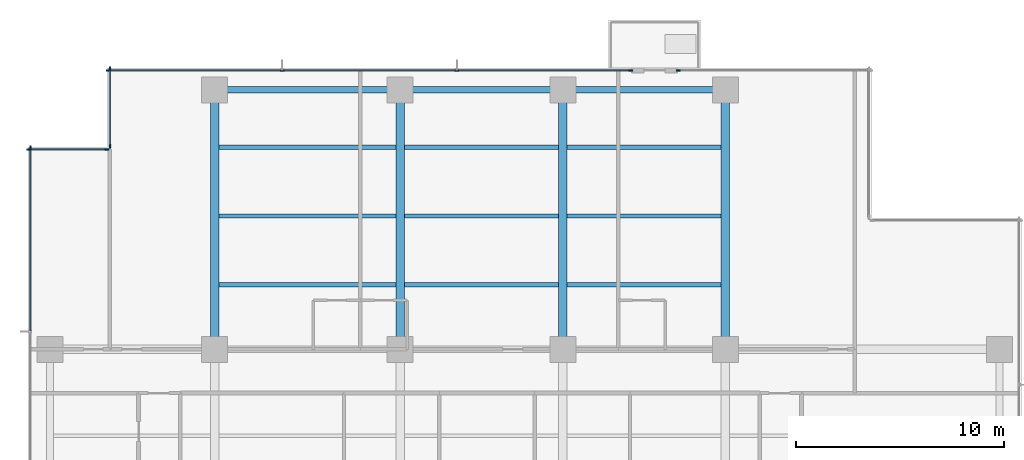
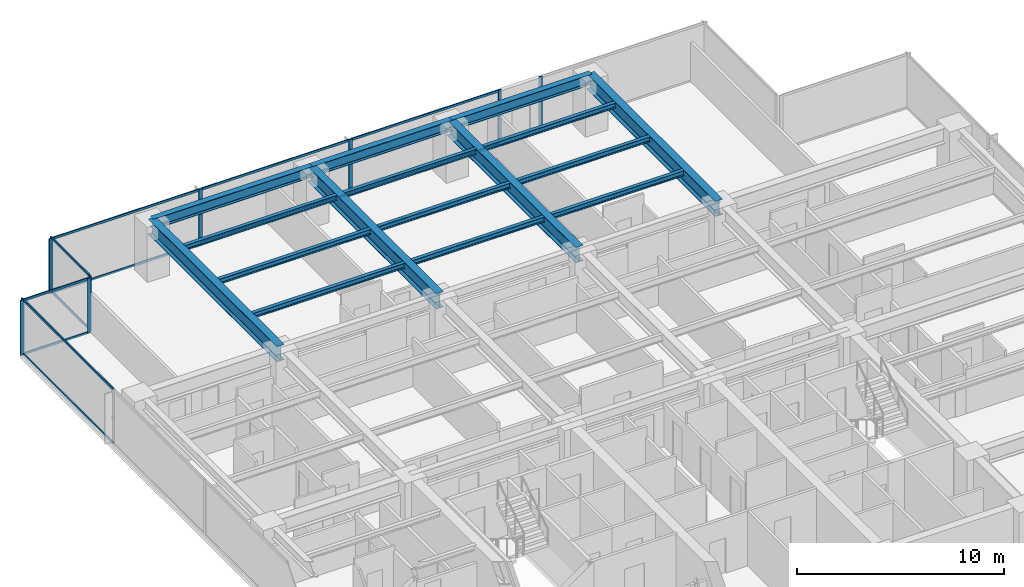
# One storey, part 5 of 17: 22 members, 16 beams, 5 elements without a shape of their own.
"""IFC4 building model written with IfcOpenShell, lengths in metres."""

import ifcopenshell
import ifcopenshell.guid

model = None  # the IFC model being written
_history = None  # IfcOwnerHistory: only IFC2X3 demands one
_inside = {}  # id of a spatial element -> (the spatial element, [elements in it])
_under = {}  # id of a project, library or spatial element -> (it, [spatial elements below it])
_declared = {}  # id of a project -> (the project, [libraries it declares])
_typed = {}  # id of a type object -> (the type object, [elements of that type])
_made_of = {}  # id of a material, layer set ... -> (it, [elements and type objects made of it])


def new_model(schema):
    """Start an empty IFC model of exactly this schema.

    Asked for "IFC4X3", IfcOpenShell would pick the latest addendum, in which some entities
    have other attributes; the version numbers below select the first issue.
    IFC2X3 requires an IfcOwnerHistory on every rooted entity: one is made here for all.
    """
    global model, _history
    if schema == "IFC4X3":
        model = ifcopenshell.file(schema_version=(4, 3, 0, 0))
    else:
        model = ifcopenshell.file(schema=schema)
    _inside.clear()
    _under.clear()
    _declared.clear()
    _typed.clear()
    _made_of.clear()
    _history = None
    if model.schema == "IFC2X3":
        org = make("IfcOrganization", Name="unknown")
        user = make(
            "IfcPersonAndOrganization",
            ThePerson=make("IfcPerson", FamilyName="unknown"),
            TheOrganization=org,
        )
        app = make(
            "IfcApplication",
            ApplicationDeveloper=org,
            Version="unknown",
            ApplicationFullName="unknown",
            ApplicationIdentifier="unknown",
        )
        _history = make(
            "IfcOwnerHistory",
            OwningUser=user,
            OwningApplication=app,
            ChangeAction="ADDED",
            CreationDate=0,
        )
    return model


def make(cls, **values):
    """One entity of the class cls with the attributes given. An attribute that is None is left unset."""
    return model.create_entity(
        cls, **{name: value for name, value in values.items() if value is not None}
    )


def rooted(cls, **values):
    """An entity with a GlobalId (a new one), such as an element, a storey or a relation."""
    return make(cls, GlobalId=ifcopenshell.guid.new(), OwnerHistory=_history, **values)


def si_unit(unit_type, name, prefix=None):
    """IfcSIUnit, for example si_unit("LENGTHUNIT", "METRE", prefix="MILLI")."""
    return make("IfcSIUnit", UnitType=unit_type, Prefix=prefix, Name=name)


def assignment(units):
    """IfcUnitAssignment: the units of a project."""
    return None if units is None else make("IfcUnitAssignment", Units=units)


def point(xyz):
    """IfcCartesianPoint."""
    return None if xyz is None else make("IfcCartesianPoint", Coordinates=xyz)


def direction(xyz):
    """IfcDirection."""
    return None if xyz is None else make("IfcDirection", DirectionRatios=xyz)


def frame(location, z_axis=None, x_axis=None):
    """IfcAxis2Placement3D, a coordinate frame: its origin and axes. An axis left out is left unset."""
    return make(
        "IfcAxis2Placement3D",
        Location=point(location),
        Axis=direction(z_axis),
        RefDirection=direction(x_axis),
    )


def frame_2d(location, x_axis=None):
    """IfcAxis2Placement2D, a coordinate frame in the plane: its origin and x axis."""
    return make(
        "IfcAxis2Placement2D", Location=point(location), RefDirection=direction(x_axis)
    )


def origin():
    """The frame at (0, 0, 0) with its axes left unset."""
    return frame((0.0, 0.0, 0.0))


def origin_2d():
    """The frame at (0, 0) in the plane with its x axis left unset."""
    return frame_2d((0.0, 0.0))


def place(relative_to, where):
    """IfcLocalPlacement: puts the frame where relative to a parent placement (None: the world)."""
    return make(
        "IfcLocalPlacement", PlacementRelTo=relative_to, RelativePlacement=where
    )


def context(
    kind, dimensions, precision=None, world=None, true_north=None, identifier=None
):
    """IfcGeometricRepresentationContext, for example the 3D "Model" context."""
    return make(
        "IfcGeometricRepresentationContext",
        ContextIdentifier=identifier,
        ContextType=kind,
        CoordinateSpaceDimension=dimensions,
        Precision=precision,
        WorldCoordinateSystem=world,
        TrueNorth=true_north,
    )


def subcontext(parent, identifier, kind, view, scale=None):
    """IfcGeometricRepresentationSubContext, for example "Body" below "Model"."""
    return make(
        "IfcGeometricRepresentationSubContext",
        ContextIdentifier=identifier,
        ContextType=kind,
        ParentContext=parent,
        TargetScale=scale,
        TargetView=view,
    )


def project(units=None, contexts=None):
    """IfcProject with its units and contexts."""
    return rooted(
        "IfcProject",
        Name="project",
        RepresentationContexts=contexts,
        UnitsInContext=assignment(units),
    )


def spatial(cls, under=None, at=None, **own):
    """A site, building, storey or space (cls), placed at a placement, below another one or the project."""
    s = rooted(cls, ObjectPlacement=at, **own)
    if under is not None:
        _under.setdefault(under.id(), (under, []))[1].append(s)
    return s


def profile(cls, at=None, kind="AREA", **sizes):
    """A parametric profile (cls). Its sizes go by their IFC names, for example OverallWidth=200.0."""
    return make(cls, ProfileType=kind, Position=at, **sizes)


def rectangle(**sizes):
    """IfcRectangleProfileDef."""
    return profile("IfcRectangleProfileDef", **sizes)


def i_section(**sizes):
    """IfcIShapeProfileDef."""
    return profile("IfcIShapeProfileDef", **sizes)


def extrude(swept, where, along, depth):
    """IfcExtrudedAreaSolid: the profile swept, set in the frame where, extruded along a direction by depth."""
    return make(
        "IfcExtrudedAreaSolid",
        SweptArea=swept,
        Position=where,
        ExtrudedDirection=direction(along),
        Depth=depth,
    )


def shape(context_of_items, identifier, shape_type, items):
    """IfcShapeRepresentation: the items that make up one representation, for example the "Body"."""
    return make(
        "IfcShapeRepresentation",
        ContextOfItems=context_of_items,
        RepresentationIdentifier=identifier,
        RepresentationType=shape_type,
        Items=items,
    )


def material(Name=None, Category=None):
    """IfcMaterial."""
    return make("IfcMaterial", Name=Name, Category=Category)


def layer(
    of_material, thickness, ventilated=None, Name=None, Category=None, Priority=None
):
    """IfcMaterialLayer: one layer of a wall or slab, of a material (None: an air gap)."""
    return make(
        "IfcMaterialLayer",
        Material=of_material,
        LayerThickness=thickness,
        IsVentilated=ventilated,
        Name=Name,
        Category=Category,
        Priority=Priority,
    )


def layer_set(layers, Name=None):
    """IfcMaterialLayerSet."""
    return make("IfcMaterialLayerSet", MaterialLayers=layers, LayerSetName=Name)


def material_profile(
    of_material, cross_section, Name=None, Category=None, Priority=None
):
    """IfcMaterialProfile: a cross section and its material."""
    return make(
        "IfcMaterialProfile",
        Name=Name,
        Material=of_material,
        Profile=cross_section,
        Priority=Priority,
        Category=Category,
    )


def profile_set(profiles, Name=None, composite=None):
    """IfcMaterialProfileSet."""
    return make(
        "IfcMaterialProfileSet",
        Name=Name,
        MaterialProfiles=profiles,
        CompositeProfile=composite,
    )


def made_of(thing, what):
    """Note that an element or type object is made of a material, layer set ...; save() writes the relation."""
    if what is not None:
        _made_of.setdefault(what.id(), (what, []))[1].append(thing)
    return thing


def type_object(cls, material=None, **own):
    """A type object (cls), such as IfcWallType, which elements share."""
    return made_of(rooted(cls, **own), material)


def element(
    cls,
    number,
    at=None,
    inside=None,
    cuts=None,
    type_object=None,
    material=None,
    context=None,
    identifier="Body",
    shape_type=None,
    held_by="IfcProductDefinitionShape",
    body=None,
    shapes=None,
    **own,
):
    """One element of the class cls, such as IfcWall. Its Tag is "e" and its number.

    at: its placement. inside: the storey or other place that contains it. cuts: it is an
    opening in that element (IfcRelVoidsElement). A single representation is given by context,
    identifier, shape_type and body (its items); several are given by shapes. held_by: the class
    of the entity that holds the representations. save() writes the other relations.
    """
    e = rooted(cls, Tag="e%d" % number, ObjectPlacement=at, **own)
    if body is not None:
        shapes = [shape(context, identifier, shape_type, body)]
    if shapes is not None:
        e.Representation = make(held_by, Representations=shapes)
    if inside is not None:
        _inside.setdefault(inside.id(), (inside, []))[1].append(e)
    if cuts is not None:
        rooted(
            "IfcRelVoidsElement", RelatingBuildingElement=cuts, RelatedOpeningElement=e
        )
    if type_object is not None:
        _typed.setdefault(type_object.id(), (type_object, []))[1].append(e)
    return made_of(e, material)


def aggregate(whole, parts):
    """IfcRelAggregates: a whole, such as a stair, and the parts it consists of."""
    return rooted("IfcRelAggregates", RelatingObject=whole, RelatedObjects=parts)


def save(model, path):
    """Write the relations noted so far, then the file.

    IfcRelAggregates (storeys below a building ...), IfcRelContainedInSpatialStructure (elements
    in a storey), IfcRelDefinesByType, IfcRelAssociatesMaterial and IfcRelDeclares: one each for
    every whole, place, type object, material and project.
    """
    for whole, parts in _under.values():
        aggregate(whole, parts)
    for where, things in _inside.values():
        rooted(
            "IfcRelContainedInSpatialStructure",
            RelatedElements=things,
            RelatingStructure=where,
        )
    for kind, things in _typed.values():
        rooted("IfcRelDefinesByType", RelatedObjects=things, RelatingType=kind)
    for what, things in _made_of.values():
        rooted("IfcRelAssociatesMaterial", RelatedObjects=things, RelatingMaterial=what)
    for by, libraries in _declared.values():
        rooted("IfcRelDeclares", RelatingContext=by, RelatedDefinitions=libraries)
    model.write(path)


model = new_model("IFC4")

# Units and contexts
model_context = context("Model", 3, precision=1e-05, world=origin(), true_north=direction((0.0, 1.0)))
body_context = subcontext(model_context, "Body", "Model", "MODEL_VIEW")
ifc_project = project(units=[si_unit("LENGTHUNIT", "METRE"), si_unit("AREAUNIT", "SQUARE_METRE"), si_unit("VOLUMEUNIT", "CUBIC_METRE"), si_unit("PLANEANGLEUNIT", "RADIAN"), si_unit("MASSUNIT", "GRAM", prefix="KILO")], contexts=[model_context])

# Site, building, storey
site_placement = place(None, origin())
site = spatial("IfcSite", under=ifc_project, at=site_placement, CompositionType="ELEMENT")
building_placement = place(site_placement, origin())
building = spatial("IfcBuilding", under=site, at=building_placement, Name="Qalmaran Belvedere Hotel", CompositionType="ELEMENT")
storey_placement = place(building_placement, frame((0.0, 0.0, 112.699951171875)))
storey = spatial("IfcBuildingStorey", under=building, at=storey_placement, Name="L28", CompositionType="ELEMENT", Elevation=112.699951171875)

# Beams
ifc_material_1 = material(Name="Steel S355JR", Category="steel")
ifc_material_profile_1 = material_profile(ifc_material_1, i_section(OverallWidth=0.202880859375, OverallDepth=0.302978515625, WebThickness=0.007568359375, FlangeThickness=0.01318359375, FilletRadius=0.012939453125, at=origin_2d()), Name="W310X60")
ifc_profile_set_1 = profile_set([ifc_material_profile_1], Name="Steel S355JR")
beam_type_1 = type_object("IfcBeamType", Name="BM-JST-W310X60", PredefinedType="JOIST", material=ifc_profile_set_1)
beam_1_placement = place(storey_placement, frame((20.507080078125, 36.10009765625, 3.088623046875), z_axis=(1.0, 0.0, 0.0), x_axis=(0.0, 1.0, 0.0)))
element("IfcBeam", 1, at=beam_1_placement, inside=storey, type_object=beam_type_1, Name="L28 North Floor Joist 042", PredefinedType="JOIST", context=body_context, shape_type="SweptSolid", body=[
    extrude(i_section(OverallWidth=0.202880859375, OverallDepth=0.302978515625, WebThickness=0.007568359375, FlangeThickness=0.01318359375, FilletRadius=0.012939453125, at=origin_2d()), origin(), (0.0, 0.0, 1.0), 8.48583984375),
])
for number, where, z_axis, x_axis, name in (
    (2, (29.406982421875, 36.10009765625, 3.088623046875), (1.0, 0.0, 0.0), (0.0, 1.0, 0.0), "L28 North Floor Joist 043"),
    (3, (37.20703125, 36.10009765625, 3.088623046875), (1.0, 0.0, 0.0), (0.0, 1.0, 0.0), "L28 North Floor Joist 044"),
):
    element("IfcBeam", number, at=place(storey_placement, frame(where, z_axis=z_axis, x_axis=x_axis)), inside=storey, type_object=beam_type_1, Name=name, PredefinedType="JOIST", context=body_context, shape_type="SweptSolid", body=[
        extrude(i_section(OverallWidth=0.202880859375, OverallDepth=0.302978515625, WebThickness=0.007568359375, FlangeThickness=0.01318359375, FilletRadius=0.012939453125, at=origin_2d()), origin(), (0.0, 0.0, 1.0), 7.385986328125),
    ])
beam_2_placement = place(storey_placement, frame((20.507080078125, 39.39990234375, 3.088623046875), z_axis=(1.0, 0.0, 0.0), x_axis=(0.0, 1.0, 0.0)))
element("IfcBeam", 4, at=beam_2_placement, inside=storey, type_object=beam_type_1, Name="L28 North Floor Joist 045", PredefinedType="JOIST", context=body_context, shape_type="SweptSolid", body=[
    extrude(i_section(OverallWidth=0.202880859375, OverallDepth=0.302978515625, WebThickness=0.007568359375, FlangeThickness=0.01318359375, FilletRadius=0.012939453125, at=origin_2d()), origin(), (0.0, 0.0, 1.0), 8.48583984375),
])
for number, where, z_axis, x_axis, name in (
    (5, (29.406982421875, 39.39990234375, 3.088623046875), (1.0, 0.0, 0.0), (0.0, 1.0, 0.0), "L28 North Floor Joist 046"),
    (6, (37.20703125, 39.39990234375, 3.088623046875), (1.0, 0.0, 0.0), (0.0, 1.0, 0.0), "L28 North Floor Joist 047"),
):
    element("IfcBeam", number, at=place(storey_placement, frame(where, z_axis=z_axis, x_axis=x_axis)), inside=storey, type_object=beam_type_1, Name=name, PredefinedType="JOIST", context=body_context, shape_type="SweptSolid", body=[
        extrude(i_section(OverallWidth=0.202880859375, OverallDepth=0.302978515625, WebThickness=0.007568359375, FlangeThickness=0.01318359375, FilletRadius=0.012939453125, at=origin_2d()), origin(), (0.0, 0.0, 1.0), 7.385986328125),
    ])
beam_3_placement = place(storey_placement, frame((20.507080078125, 42.699951171875, 3.088623046875), z_axis=(1.0, 0.0, 0.0), x_axis=(0.0, 1.0, 0.0)))
element("IfcBeam", 7, at=beam_3_placement, inside=storey, type_object=beam_type_1, Name="L28 North Floor Joist 048", PredefinedType="JOIST", context=body_context, shape_type="SweptSolid", body=[
    extrude(i_section(OverallWidth=0.202880859375, OverallDepth=0.302978515625, WebThickness=0.007568359375, FlangeThickness=0.01318359375, FilletRadius=0.012939453125, at=origin_2d()), origin(), (0.0, 0.0, 1.0), 8.48583984375),
])
for number, where, z_axis, x_axis, name in (
    (8, (29.406982421875, 42.699951171875, 3.088623046875), (1.0, 0.0, 0.0), (0.0, 1.0, 0.0), "L28 North Floor Joist 049"),
    (9, (37.20703125, 42.699951171875, 3.088623046875), (1.0, 0.0, 0.0), (0.0, 1.0, 0.0), "L28 North Floor Joist 050"),
):
    element("IfcBeam", number, at=place(storey_placement, frame(where, z_axis=z_axis, x_axis=x_axis)), inside=storey, type_object=beam_type_1, Name=name, PredefinedType="JOIST", context=body_context, shape_type="SweptSolid", body=[
        extrude(i_section(OverallWidth=0.202880859375, OverallDepth=0.302978515625, WebThickness=0.007568359375, FlangeThickness=0.01318359375, FilletRadius=0.012939453125, at=origin_2d()), origin(), (0.0, 0.0, 1.0), 7.385986328125),
    ])
ifc_material_profile_2 = material_profile(ifc_material_1, i_section(OverallWidth=0.41796875, OverallDepth=0.912109375, WebThickness=0.019287109375, FlangeThickness=0.031982421875, FilletRadius=0.02392578125, at=origin_2d()), Name="W920X342")
ifc_profile_set_2 = profile_set([ifc_material_profile_2], Name="Steel S355JR")
beam_type_2 = type_object("IfcBeamType", Name="BM-PG2-W920X342", PredefinedType="USERDEFINED", material=ifc_profile_set_2)
for number, where, z_axis, x_axis, name in (
    (10, (20.300048828125, 33.0, 2.783935546875), (0.0, 1.0, 0.0), (-1.0, 0.0, 0.0), "L28 North Bay Girder 15"),
    (11, (29.199951171875, 33.0, 2.783935546875), (0.0, 1.0, 0.0), (-1.0, 0.0, 0.0), "L28 North Bay Girder 17"),
    (12, (37.0, 33.0, 2.783935546875), (0.0, 1.0, 0.0), (-1.0, 0.0, 0.0), "L28 North Bay Girder 19"),
    (13, (44.800048828125, 33.0, 2.783935546875), (0.0, 1.0, 0.0), (-1.0, 0.0, 0.0), "L28 North Bay Girder 21"),
):
    element("IfcBeam", number, at=place(storey_placement, frame(where, z_axis=z_axis, x_axis=x_axis)), inside=storey, type_object=beam_type_2, Name=name, ObjectType="GIRDER", PredefinedType="USERDEFINED", context=body_context, shape_type="SweptSolid", body=[
        extrude(i_section(OverallWidth=0.41796875, OverallDepth=0.912109375, WebThickness=0.019287109375, FlangeThickness=0.031982421875, FilletRadius=0.02392578125, at=origin_2d()), origin(), (0.0, 0.0, 1.0), 12.449951171875),
    ])
ifc_material_profile_3 = material_profile(ifc_material_1, i_section(OverallWidth=0.326904296875, OverallDepth=0.6220703125, WebThickness=0.015380859375, FlangeThickness=0.0244140625, FilletRadius=0.02001953125, at=origin_2d()), Name="W610X195")
ifc_profile_set_3 = profile_set([ifc_material_profile_3], Name="Steel S355JR")
beam_type_3 = type_object("IfcBeamType", Name="BM-SP1-W610X195", PredefinedType="SPANDREL", material=ifc_profile_set_3)
beam_4_placement = place(storey_placement, frame((20.300048828125, 45.449951171875, 2.928955078125), z_axis=(1.0, 0.0, 0.0), x_axis=(0.0, 1.0, 0.0)))
element("IfcBeam", 14, at=beam_4_placement, inside=storey, type_object=beam_type_3, Name="L28 Perimeter Spandrel 05", PredefinedType="SPANDREL", context=body_context, shape_type="SweptSolid", body=[
    extrude(i_section(OverallWidth=0.326904296875, OverallDepth=0.6220703125, WebThickness=0.015380859375, FlangeThickness=0.0244140625, FilletRadius=0.02001953125, at=origin_2d()), origin(), (0.0, 0.0, 1.0), 8.89990234375),
])
for number, where, z_axis, x_axis, name in (
    (15, (29.199951171875, 45.449951171875, 2.928955078125), (1.0, 0.0, 0.0), (0.0, 1.0, 0.0), "L28 Perimeter Spandrel 06"),
    (16, (37.0, 45.449951171875, 2.928955078125), (1.0, 0.0, 0.0), (0.0, 1.0, 0.0), "L28 Perimeter Spandrel 07"),
):
    element("IfcBeam", number, at=place(storey_placement, frame(where, z_axis=z_axis, x_axis=x_axis)), inside=storey, type_object=beam_type_3, Name=name, PredefinedType="SPANDREL", context=body_context, shape_type="SweptSolid", body=[
        extrude(i_section(OverallWidth=0.326904296875, OverallDepth=0.6220703125, WebThickness=0.015380859375, FlangeThickness=0.0244140625, FilletRadius=0.02001953125, at=origin_2d()), origin(), (0.0, 0.0, 1.0), 7.800048828125),
    ])

# Curtain wall, members
ifc_material_2 = material(Name="Anodised Bronze Aluminium", Category="aluminium")
ifc_layer = layer(ifc_material_2, 0.199951171875, Name="Anodised Bronze Aluminium")
ifc_layer_set = layer_set([ifc_layer], Name="Anodised Bronze Aluminium")
curtain_wall_type = type_object("IfcCurtainWallType", Name="CW3-TOWER-LOWMID", PredefinedType="NOTDEFINED", material=ifc_layer_set)
curtain_wall_1_placement = place(storey_placement, origin())
curtain_wall_1 = element("IfcCurtainWall", 17, at=curtain_wall_1_placement, inside=storey, type_object=curtain_wall_type, Name="L28 Curtain Wall CW3", PredefinedType="NOTDEFINED")
ifc_material_profile_4 = material_profile(ifc_material_2, rectangle(XDim=0.070068359375, YDim=0.18994140625, at=origin_2d()), Name="CWM70X190")
ifc_profile_set_4 = profile_set([ifc_material_profile_4], Name="Anodised Bronze Aluminium")
member_type_1 = type_object("IfcMemberType", Name="CWM-70X190", PredefinedType="MULLION", material=ifc_profile_set_4)
member_1_placement = place(storey_placement, frame((40.264892578125, 46.3798828125, 0.0), z_axis=(0.0, 0.0, 1.0), x_axis=(0.0, -1.0, 0.0)))
member_1 = element("IfcMember", 18, at=member_1_placement, type_object=member_type_1, Name="CW3 mullion 1", PredefinedType="MULLION", context=body_context, shape_type="SweptSolid", body=[
    extrude(rectangle(XDim=0.070068359375, YDim=0.18994140625, at=origin_2d()), origin(), (0.0, 0.0, 1.0), 3.239990234375),
])
member_2_placement = place(storey_placement, frame((31.916748046875, 46.3798828125, 0.0), z_axis=(0.0, 0.0, 1.0), x_axis=(0.0, -1.0, 0.0)))
member_2 = element("IfcMember", 19, at=member_2_placement, type_object=member_type_1, Name="CW3 mullion 2", PredefinedType="MULLION", context=body_context, shape_type="SweptSolid", body=[
    extrude(rectangle(XDim=0.070068359375, YDim=0.18994140625, at=origin_2d()), origin(), (0.0, 0.0, 1.0), 3.239990234375),
])
member_3_placement = place(storey_placement, frame((23.533447265625, 46.3798828125, 0.0), z_axis=(0.0, 0.0, 1.0), x_axis=(0.0, -1.0, 0.0)))
member_3 = element("IfcMember", 20, at=member_3_placement, type_object=member_type_1, Name="CW3 mullion 3", PredefinedType="MULLION", context=body_context, shape_type="SweptSolid", body=[
    extrude(rectangle(XDim=0.070068359375, YDim=0.18994140625, at=origin_2d()), origin(), (0.0, 0.0, 1.0), 3.239990234375),
])
member_4_placement = place(storey_placement, frame((15.18505859375, 46.3798828125, 0.0), z_axis=(0.0, 0.0, 1.0), x_axis=(0.0, -1.0, 0.0)))
member_4 = element("IfcMember", 21, at=member_4_placement, type_object=member_type_1, Name="CW3 mullion 4", PredefinedType="MULLION", context=body_context, shape_type="SweptSolid", body=[
    extrude(rectangle(XDim=0.070068359375, YDim=0.18994140625, at=origin_2d()), origin(), (0.0, 0.0, 1.0), 3.239990234375),
])

# Curtain wall, member
curtain_wall_2_placement = place(storey_placement, origin())
curtain_wall_2 = element("IfcCurtainWall", 22, at=curtain_wall_2_placement, inside=storey, type_object=curtain_wall_type, Name="L28 Curtain Wall CW3", PredefinedType="NOTDEFINED")
member_5_placement = place(storey_placement, frame((42.534912109375, 46.3798828125, 0.0), z_axis=(0.0, 0.0, 1.0), x_axis=(0.0, -1.0, 0.0)))
member_5 = element("IfcMember", 23, at=member_5_placement, type_object=member_type_1, Name="CW3 mullion 2", PredefinedType="MULLION", context=body_context, shape_type="SweptSolid", body=[
    extrude(rectangle(XDim=0.070068359375, YDim=0.18994140625, at=origin_2d()), origin(), (0.0, 0.0, 1.0), 3.239990234375),
])
aggregate(curtain_wall_2, [member_5])

# Curtain wall, members
curtain_wall_3_placement = place(storey_placement, origin())
curtain_wall_3 = element("IfcCurtainWall", 24, at=curtain_wall_3_placement, inside=storey, type_object=curtain_wall_type, Name="L28 Curtain Wall CW3", PredefinedType="NOTDEFINED")
member_6_placement = place(storey_placement, frame((15.27001953125, 46.465087890625, 0.0), z_axis=(0.0, 0.0, 1.0), x_axis=(1.0, 0.0, 0.0)))
member_6 = element("IfcMember", 25, at=member_6_placement, type_object=member_type_1, Name="CW3 mullion 1", PredefinedType="MULLION", context=body_context, shape_type="SweptSolid", body=[
    extrude(rectangle(XDim=0.070068359375, YDim=0.18994140625, at=origin_2d()), origin(), (0.0, 0.0, 1.0), 3.239990234375),
])
member_7_placement = place(storey_placement, frame((15.27001953125, 42.735107421875, 0.0), z_axis=(0.0, 0.0, 1.0), x_axis=(1.0, 0.0, 0.0)))
member_7 = element("IfcMember", 26, at=member_7_placement, type_object=member_type_1, Name="CW3 mullion 2", PredefinedType="MULLION", context=body_context, shape_type="SweptSolid", body=[
    extrude(rectangle(XDim=0.070068359375, YDim=0.18994140625, at=origin_2d()), origin(), (0.0, 0.0, 1.0), 3.239990234375),
])

curtain_wall_4_placement = place(storey_placement, origin())
curtain_wall_4 = element("IfcCurtainWall", 27, at=curtain_wall_4_placement, inside=storey, type_object=curtain_wall_type, Name="L28 Curtain Wall CW3", PredefinedType="NOTDEFINED")
member_8_placement = place(storey_placement, frame((15.114990234375, 42.580078125, 0.0), z_axis=(0.0, 0.0, 1.0), x_axis=(0.0, -1.0, 0.0)))
member_8 = element("IfcMember", 28, at=member_8_placement, type_object=member_type_1, Name="CW3 mullion 1", PredefinedType="MULLION", context=body_context, shape_type="SweptSolid", body=[
    extrude(rectangle(XDim=0.070068359375, YDim=0.18994140625, at=origin_2d()), origin(), (0.0, 0.0, 1.0), 3.239990234375),
])
member_9_placement = place(storey_placement, frame((11.385009765625, 42.580078125, 0.0), z_axis=(0.0, 0.0, 1.0), x_axis=(0.0, -1.0, 0.0)))
member_9 = element("IfcMember", 29, at=member_9_placement, type_object=member_type_1, Name="CW3 mullion 2", PredefinedType="MULLION", context=body_context, shape_type="SweptSolid", body=[
    extrude(rectangle(XDim=0.070068359375, YDim=0.18994140625, at=origin_2d()), origin(), (0.0, 0.0, 1.0), 3.239990234375),
])

# Curtain wall, member
curtain_wall_5_placement = place(storey_placement, origin())
curtain_wall_5 = element("IfcCurtainWall", 30, at=curtain_wall_5_placement, inside=storey, type_object=curtain_wall_type, Name="L28 Curtain Wall CW3", PredefinedType="NOTDEFINED")
member_10_placement = place(storey_placement, frame((11.469970703125, 42.6650390625, 0.0), z_axis=(0.0, 0.0, 1.0), x_axis=(1.0, 0.0, 0.0)))
member_10 = element("IfcMember", 31, at=member_10_placement, type_object=member_type_1, Name="CW3 mullion 1", PredefinedType="MULLION", context=body_context, shape_type="SweptSolid", body=[
    extrude(rectangle(XDim=0.070068359375, YDim=0.18994140625, at=origin_2d()), origin(), (0.0, 0.0, 1.0), 3.239990234375),
])

# Member
ifc_material_profile_5 = material_profile(ifc_material_2, rectangle(XDim=0.06494140625, YDim=0.1298828125, at=origin_2d()), Name="CWT65X130")
ifc_profile_set_5 = profile_set([ifc_material_profile_5], Name="Anodised Bronze Aluminium")
member_type_2 = type_object("IfcMemberType", Name="CWT-65X130", PredefinedType="USERDEFINED", material=ifc_profile_set_5)
member_11_placement = place(storey_placement, frame((40.22998046875, 46.3798828125, 0.032470703125), z_axis=(-1.0, 0.0, 0.0), x_axis=(0.0, -1.0, 0.0)))
member_11 = element("IfcMember", 32, at=member_11_placement, type_object=member_type_2, Name="CW3 transom 1.1", ObjectType="TRANSOM", PredefinedType="USERDEFINED", context=body_context, shape_type="SweptSolid", body=[
    extrude(rectangle(XDim=0.06494140625, YDim=0.1298828125, at=origin_2d()), origin(), (0.0, 0.0, 1.0), 8.2783203125),
])

member_12_placement = place(storey_placement, frame((40.22998046875, 46.3798828125, 3.20751953125), z_axis=(-1.0, 0.0, 0.0), x_axis=(0.0, -1.0, 0.0)))
member_12 = element("IfcMember", 33, at=member_12_placement, type_object=member_type_2, Name="CW3 transom 1.2", ObjectType="TRANSOM", PredefinedType="USERDEFINED", context=body_context, shape_type="SweptSolid", body=[
    extrude(rectangle(XDim=0.06494140625, YDim=0.1298828125, at=origin_2d()), origin(), (0.0, 0.0, 1.0), 8.2783203125),
])

member_13_placement = place(storey_placement, frame((31.881591796875, 46.3798828125, 0.032470703125), z_axis=(-1.0, 0.0, 0.0), x_axis=(0.0, -1.0, 0.0)))
member_13 = element("IfcMember", 34, at=member_13_placement, type_object=member_type_2, Name="CW3 transom 2.1", ObjectType="TRANSOM", PredefinedType="USERDEFINED", context=body_context, shape_type="SweptSolid", body=[
    extrude(rectangle(XDim=0.06494140625, YDim=0.1298828125, at=origin_2d()), origin(), (0.0, 0.0, 1.0), 8.313232421875),
])

member_14_placement = place(storey_placement, frame((31.881591796875, 46.3798828125, 3.20751953125), z_axis=(-1.0, 0.0, 0.0), x_axis=(0.0, -1.0, 0.0)))
member_14 = element("IfcMember", 35, at=member_14_placement, type_object=member_type_2, Name="CW3 transom 2.2", ObjectType="TRANSOM", PredefinedType="USERDEFINED", context=body_context, shape_type="SweptSolid", body=[
    extrude(rectangle(XDim=0.06494140625, YDim=0.1298828125, at=origin_2d()), origin(), (0.0, 0.0, 1.0), 8.313232421875),
])

member_15_placement = place(storey_placement, frame((23.498291015625, 46.3798828125, 0.032470703125), z_axis=(-1.0, 0.0, 0.0), x_axis=(0.0, -1.0, 0.0)))
member_15 = element("IfcMember", 36, at=member_15_placement, type_object=member_type_2, Name="CW3 transom 3.1", ObjectType="TRANSOM", PredefinedType="USERDEFINED", context=body_context, shape_type="SweptSolid", body=[
    extrude(rectangle(XDim=0.06494140625, YDim=0.1298828125, at=origin_2d()), origin(), (0.0, 0.0, 1.0), 8.2783203125),
])

member_16_placement = place(storey_placement, frame((23.498291015625, 46.3798828125, 3.20751953125), z_axis=(-1.0, 0.0, 0.0), x_axis=(0.0, -1.0, 0.0)))
member_16 = element("IfcMember", 37, at=member_16_placement, type_object=member_type_2, Name="CW3 transom 3.2", ObjectType="TRANSOM", PredefinedType="USERDEFINED", context=body_context, shape_type="SweptSolid", body=[
    extrude(rectangle(XDim=0.06494140625, YDim=0.1298828125, at=origin_2d()), origin(), (0.0, 0.0, 1.0), 8.2783203125),
])

aggregate(curtain_wall_1, [member_1, member_2, member_3, member_4, member_11, member_12, member_13, member_14, member_15, member_16])

member_17_placement = place(storey_placement, frame((15.27001953125, 46.429931640625, 0.032470703125), z_axis=(0.0, -1.0, 0.0), x_axis=(1.0, 0.0, 0.0)))
member_17 = element("IfcMember", 38, at=member_17_placement, type_object=member_type_2, Name="CW3 transom 1.1", ObjectType="TRANSOM", PredefinedType="USERDEFINED", context=body_context, shape_type="SweptSolid", body=[
    extrude(rectangle(XDim=0.06494140625, YDim=0.1298828125, at=origin_2d()), origin(), (0.0, 0.0, 1.0), 3.659912109375),
])

member_18_placement = place(storey_placement, frame((15.27001953125, 46.429931640625, 3.20751953125), z_axis=(0.0, -1.0, 0.0), x_axis=(1.0, 0.0, 0.0)))
member_18 = element("IfcMember", 39, at=member_18_placement, type_object=member_type_2, Name="CW3 transom 1.2", ObjectType="TRANSOM", PredefinedType="USERDEFINED", context=body_context, shape_type="SweptSolid", body=[
    extrude(rectangle(XDim=0.06494140625, YDim=0.1298828125, at=origin_2d()), origin(), (0.0, 0.0, 1.0), 3.659912109375),
])

aggregate(curtain_wall_3, [member_6, member_7, member_17, member_18])

member_19_placement = place(storey_placement, frame((15.080078125, 42.580078125, 0.032470703125), z_axis=(-1.0, 0.0, 0.0), x_axis=(0.0, -1.0, 0.0)))
member_19 = element("IfcMember", 40, at=member_19_placement, type_object=member_type_2, Name="CW3 transom 1.1", ObjectType="TRANSOM", PredefinedType="USERDEFINED", context=body_context, shape_type="SweptSolid", body=[
    extrude(rectangle(XDim=0.06494140625, YDim=0.1298828125, at=origin_2d()), origin(), (0.0, 0.0, 1.0), 3.66015625),
])

member_20_placement = place(storey_placement, frame((15.080078125, 42.580078125, 3.20751953125), z_axis=(-1.0, 0.0, 0.0), x_axis=(0.0, -1.0, 0.0)))
member_20 = element("IfcMember", 41, at=member_20_placement, type_object=member_type_2, Name="CW3 transom 1.2", ObjectType="TRANSOM", PredefinedType="USERDEFINED", context=body_context, shape_type="SweptSolid", body=[
    extrude(rectangle(XDim=0.06494140625, YDim=0.1298828125, at=origin_2d()), origin(), (0.0, 0.0, 1.0), 3.66015625),
])

aggregate(curtain_wall_4, [member_8, member_9, member_19, member_20])

member_21_placement = place(storey_placement, frame((11.469970703125, 42.6298828125, 0.032470703125), z_axis=(0.0, -1.0, 0.0), x_axis=(1.0, 0.0, 0.0)))
member_21 = element("IfcMember", 42, at=member_21_placement, type_object=member_type_2, Name="CW3 transom 1.1", ObjectType="TRANSOM", PredefinedType="USERDEFINED", context=body_context, shape_type="SweptSolid", body=[
    extrude(rectangle(XDim=0.06494140625, YDim=0.1298828125, at=origin_2d()), origin(), (0.0, 0.0, 1.0), 8.744873046875),
])

member_22_placement = place(storey_placement, frame((11.469970703125, 42.6298828125, 3.20751953125), z_axis=(0.0, -1.0, 0.0), x_axis=(1.0, 0.0, 0.0)))
member_22 = element("IfcMember", 43, at=member_22_placement, type_object=member_type_2, Name="CW3 transom 1.2", ObjectType="TRANSOM", PredefinedType="USERDEFINED", context=body_context, shape_type="SweptSolid", body=[
    extrude(rectangle(XDim=0.06494140625, YDim=0.1298828125, at=origin_2d()), origin(), (0.0, 0.0, 1.0), 8.744873046875),
])

aggregate(curtain_wall_5, [member_10, member_21, member_22])

save(model, "model.ifc")
